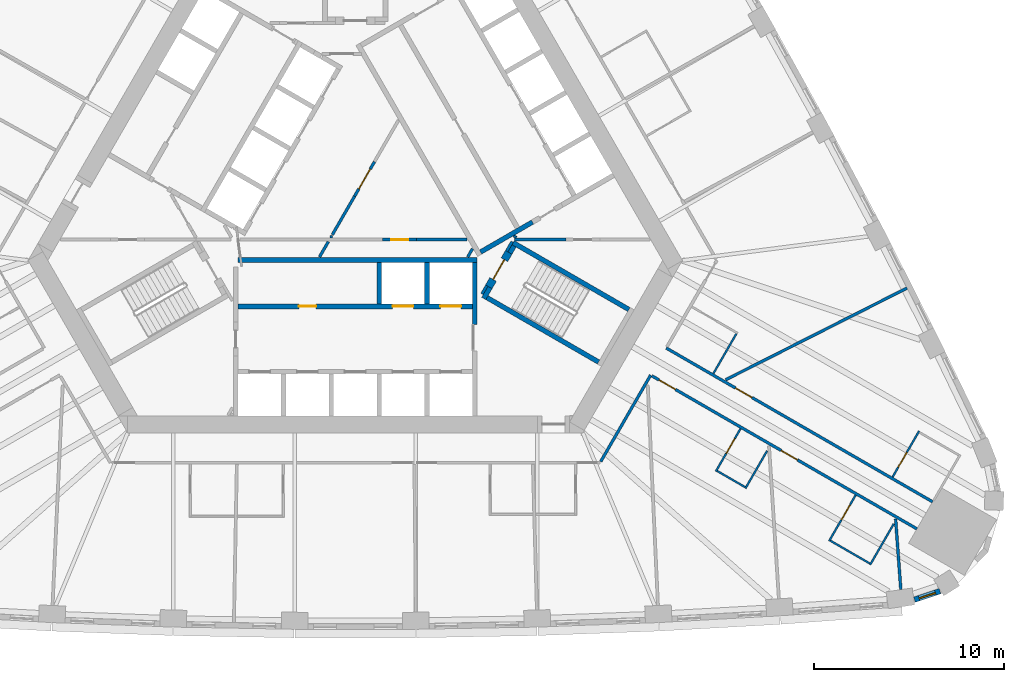
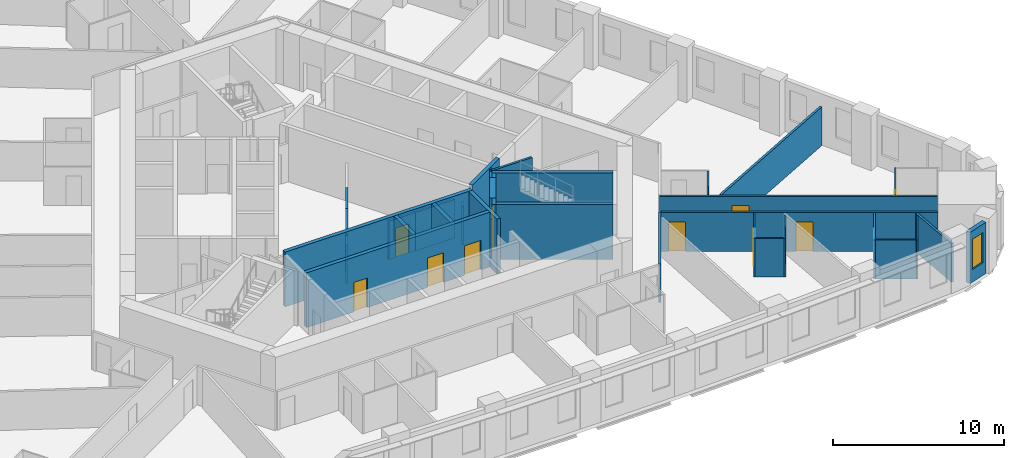
# One storey, part 7 of 13: 36 walls, 12 doors, 1 window, 13 openings.
"""IFC4 building model written with IfcOpenShell, lengths in metres."""

from ifc_helpers import new_model, si_unit, direction, frame, frame_2d, origin, place, context, subcontext, project, spatial, rectangle, extrude, material, layer, layer_set, type_object, element, fill, save


model = new_model("IFC4")

# Units and contexts
model_context = context("Model", 3, precision=1e-05, world=origin(), true_north=direction((0.0, 1.0)))
body_context = subcontext(model_context, "Body", "Model", "MODEL_VIEW")
ifc_project = project(units=[si_unit("LENGTHUNIT", "METRE"), si_unit("AREAUNIT", "SQUARE_METRE"), si_unit("VOLUMEUNIT", "CUBIC_METRE"), si_unit("PLANEANGLEUNIT", "RADIAN"), si_unit("MASSUNIT", "GRAM", prefix="KILO")], contexts=[model_context])

# Site, building, storey
site_placement = place(None, origin())
site = spatial("IfcSite", under=ifc_project, at=site_placement, CompositionType="ELEMENT")
building_placement = place(site_placement, origin())
building = spatial("IfcBuilding", under=site, at=building_placement, Name="Mestral Congress Tower", CompositionType="ELEMENT")
storey_placement = place(building_placement, frame((0.0, 0.0, 62.699951171875)))
storey = spatial("IfcBuildingStorey", under=building, at=storey_placement, Name="L14", CompositionType="ELEMENT", Elevation=62.699951171875)

# Walls
ifc_material_1 = material(Name="Fire-rated board partition")
ifc_layer_1 = layer(ifc_material_1, 0.14990234375)
ifc_layer_set_1 = layer_set([ifc_layer_1], Name="Fire-rated board partition")
wall_type_1 = type_object("IfcWallType", Name="Core partition 150", PredefinedType="PARTITIONING", material=ifc_layer_set_1)
wall_1_placement = place(storey_placement, frame((-1.886962890625, -3.71826171875, 0.0), z_axis=(0.0, 0.0, 1.0), x_axis=(0.499842898591, 0.866116087328, 0.0)))
element("IfcWall", 1, at=wall_1_placement, inside=storey, type_object=wall_type_1, Name="L14 core wall", PredefinedType="PARTITIONING", context=body_context, shape_type="SweptSolid", body=[
    extrude(rectangle(XDim=0.935791015625, YDim=0.14990234375, at=frame_2d((0.4677734375, 0.0))), origin(), (0.0, 0.0, 1.0), 2.75),
])
wall_2_placement = place(storey_placement, frame((-1.2119140625, -2.65087890625, 0.0), z_axis=(0.0, 0.0, 1.0), x_axis=(-1.0, 0.0, 0.0)))
element("IfcWall", 2, at=wall_2_placement, inside=storey, type_object=wall_type_1, Name="L14 core wall", PredefinedType="PARTITIONING", context=body_context, shape_type="SweptSolid", body=[
    extrude(rectangle(XDim=0.10791015625, YDim=0.14990234375, at=frame_2d((0.053955078125, 0.0))), origin(), (0.0, 0.0, 1.0), 2.75),
])
wall_3_placement = place(storey_placement, frame((-1.20849609375, -2.5439453125, 0.0), z_axis=(0.0, 0.0, 1.0), x_axis=(0.499995339376, 0.86602809458, 0.0)))
element("IfcWall", 3, at=wall_3_placement, inside=storey, type_object=wall_type_1, Name="L14 core wall", PredefinedType="PARTITIONING", context=body_context, shape_type="SweptSolid", body=[
    extrude(rectangle(XDim=2.34912109375, YDim=0.14990234375, at=frame_2d((1.174560546875, 0.0))), origin(), (0.0, 0.0, 1.0), 2.75),
])
wall_4_placement = place(storey_placement, frame((6.68798828125, -5.667236328125, 0.0), z_axis=(0.0, 0.0, 1.0), x_axis=(0.499834152157, 0.86612113491, 0.0)))
element("IfcWall", 4, at=wall_4_placement, inside=storey, type_object=wall_type_1, Name="L14 core wall", PredefinedType="PARTITIONING", context=body_context, shape_type="SweptSolid", body=[
    extrude(rectangle(XDim=0.504638671875, YDim=0.14990234375, at=frame_2d((0.25244140625, 0.0))), origin(), (0.0, 0.0, 1.0), 2.75),
])
wall_5_placement = place(storey_placement, frame((5.935791015625, -3.718017578125, 0.0), z_axis=(0.0, 0.0, 1.0), x_axis=(0.499890179513, 0.866088799389, 0.0)))
element("IfcWall", 5, at=wall_5_placement, inside=storey, type_object=wall_type_1, Name="L14 core wall", PredefinedType="PARTITIONING", context=body_context, shape_type="SweptSolid", body=[
    extrude(rectangle(XDim=0.50390625, YDim=0.14990234375, at=frame_2d((0.251953125, 0.0))), origin(), (0.0, 0.0, 1.0), 2.75),
])
wall_6_placement = place(storey_placement, frame((3.23828125, -2.800048828125, 0.0), z_axis=(0.0, 0.0, 1.0), x_axis=(1.0, 0.0, 0.0)))
element("IfcWall", 6, at=wall_6_placement, inside=storey, type_object=wall_type_1, Name="L14 core wall", PredefinedType="PARTITIONING", context=body_context, shape_type="SweptSolid", body=[
    extrude(rectangle(XDim=2.671630859375, YDim=0.14990234375, at=frame_2d((1.3359375, 0.0))), origin(), (0.0, 0.0, 1.0), 2.75),
])

# Wall, opening, door
wall_7_placement = place(storey_placement, frame((-0.0341796875, -0.50927734375, 0.0), z_axis=(0.0, 0.0, 1.0), x_axis=(0.49994051562, 0.866059744384, 0.0)))
wall_7 = element("IfcWall", 7, at=wall_7_placement, inside=storey, type_object=wall_type_1, Name="L14 door wall", PredefinedType="PARTITIONING", context=body_context, shape_type="SweptSolid", body=[
    extrude(rectangle(XDim=2.099853515625, YDim=0.14990234375, at=frame_2d((1.0498046875, 0.0))), origin(), (0.0, 0.0, 1.0), 2.75),
])
opening_1_placement = place(wall_7_placement, frame((0.449951171875, 0.0, 0.0)))
opening_1 = element("IfcOpeningElement", 8, at=opening_1_placement, cuts=wall_7, Name="Opening CD3-HUB0", PredefinedType="OPENING", context=body_context, shape_type="SweptSolid", body=[
    extrude(rectangle(XDim=1.199951171875, YDim=2.10009765625, at=frame_2d((0.60009765625, 1.050048828125))), frame((0.0, 0.0849609375, 0.0), z_axis=(0.0, -1.0, 0.0), x_axis=(1.0, 0.0, 0.0)), (0.0, 0.0, 1.0), 0.169921875),
])
ifc_material_2 = material(Name="Fire-rated steel door set", Category="steel")
door_type_1 = type_object("IfcDoorType", Name="Core door CD 1200x2100", OperationType="SINGLE_SWING_LEFT", PredefinedType="DOOR", material=ifc_material_2)
door_1_placement = place(opening_1_placement, origin())
door_1 = element("IfcDoor", 9, at=door_1_placement, inside=storey, type_object=door_type_1, Name="Door CD3-HUB0", OperationType="SINGLE_SWING_LEFT", OverallHeight=2.10009765625, OverallWidth=1.199951171875, PredefinedType="DOOR", context=body_context, shape_type="SweptSolid", body=[
    extrude(rectangle(XDim=1.199951171875, YDim=2.10009765625, at=frame_2d((0.60009765625, 1.050048828125))), frame((0.0, 0.02490234375, 0.0), z_axis=(0.0, -1.0, 0.0), x_axis=(1.0, 0.0, 0.0)), (0.0, 0.0, 1.0), 0.050048828125),
])
fill(opening_1, door_1)

wall_8_placement = place(storey_placement, frame((1.438232421875, -2.800048828125, 0.0), z_axis=(0.0, 0.0, 1.0), x_axis=(1.0, 0.0, 0.0)))
wall_8 = element("IfcWall", 10, at=wall_8_placement, inside=storey, type_object=wall_type_1, Name="L14 door wall", PredefinedType="PARTITIONING", context=body_context, shape_type="SweptSolid", body=[
    extrude(rectangle(XDim=1.800048828125, YDim=0.14990234375, at=frame_2d((0.89990234375, 0.0))), origin(), (0.0, 0.0, 1.0), 2.75),
])
opening_2_placement = place(wall_8_placement, frame((0.449951171875, 0.0, 0.0)))
opening_2 = element("IfcOpeningElement", 11, at=opening_2_placement, cuts=wall_8, Name="Opening SD-HUB3", PredefinedType="OPENING", context=body_context, shape_type="SweptSolid", body=[
    extrude(rectangle(XDim=0.89990234375, YDim=2.10009765625, at=frame_2d((0.449951171875, 1.050048828125))), frame((0.0, 0.0849609375, 0.0), z_axis=(0.0, -1.0, 0.0), x_axis=(1.0, 0.0, 0.0)), (0.0, 0.0, 1.0), 0.169921875),
])
door_type_2 = type_object("IfcDoorType", Name="Core door SR 900x2100", OperationType="SINGLE_SWING_LEFT", PredefinedType="DOOR", material=ifc_material_2)
door_2_placement = place(opening_2_placement, origin())
door_2 = element("IfcDoor", 12, at=door_2_placement, inside=storey, type_object=door_type_2, Name="Door SD-HUB3", OperationType="SINGLE_SWING_LEFT", OverallHeight=2.10009765625, OverallWidth=0.89990234375, PredefinedType="DOOR", context=body_context, shape_type="SweptSolid", body=[
    extrude(rectangle(XDim=0.89990234375, YDim=2.10009765625, at=frame_2d((0.449951171875, 1.050048828125))), frame((0.0, 0.02490234375, 0.0), z_axis=(0.0, -1.0, 0.0), x_axis=(1.0, 0.0, 0.0)), (0.0, 0.0, 1.0), 0.050048828125),
])
fill(opening_2, door_2)

# Wall, opening, window
ifc_material_3 = material(Name="Precast concrete C40/50 with limestone facing", Category="masonry")
ifc_layer_2 = layer(ifc_material_3, 0.2900390625)
ifc_layer_set_2 = layer_set([ifc_layer_2], Name="Precast concrete C40/50 with limestone facing")
wall_type_2 = type_object("IfcWallType", Name="Facade stone wall 290", PredefinedType="SOLIDWALL", material=ifc_layer_set_2)
wall_9_placement = place(storey_placement, frame((29.51171875, -21.80224609375, 0.0), z_axis=(0.0, 0.0, 1.0), x_axis=(0.947903891592, 0.318556450734, 0.0)))
wall_9 = element("IfcWall", 13, at=wall_9_placement, inside=storey, type_object=wall_type_2, Name="Facade wall K0-0", PredefinedType="SOLIDWALL", context=body_context, shape_type="SweptSolid", body=[
    extrude(rectangle(XDim=1.414794921875, YDim=0.2900390625, at=frame_2d((0.70751953125, 0.0))), origin(), (0.0, 0.0, 1.0), 3.650146484375),
])
opening_3_placement = place(wall_9_placement, frame((0.25732421875, 0.0, 0.89990234375)))
opening_3 = element("IfcOpeningElement", 14, at=opening_3_placement, cuts=wall_9, Name="Opening W3", PredefinedType="OPENING", context=body_context, shape_type="SweptSolid", body=[
    extrude(rectangle(XDim=0.89990234375, YDim=2.14990234375, at=frame_2d((0.449951171875, 1.074951171875))), frame((0.0, 0.155029296875, 0.0), z_axis=(0.0, -1.0, 0.0), x_axis=(1.0, 0.0, 0.0)), (0.0, 0.0, 1.0), 0.31005859375),
])
ifc_material_4 = material(Name="Clear low-emissivity double glazing", Category="glass")
window_type = type_object("IfcWindowType", Name="Facade punched window 900 x 2150 sill 900", PartitioningType="SINGLE_PANEL", PredefinedType="WINDOW", material=ifc_material_4)
window_placement = place(opening_3_placement, origin())
window = element("IfcWindow", 15, at=window_placement, inside=storey, type_object=window_type, Name="Window K0-0", OverallHeight=2.14990234375, OverallWidth=0.89990234375, PartitioningType="SINGLE_PANEL", PredefinedType="WINDOW", context=body_context, shape_type="SweptSolid", body=[
    extrude(rectangle(XDim=0.89990234375, YDim=2.14990234375, at=frame_2d((0.449951171875, 1.074951171875))), frame((0.0, 0.01513671875, 0.0), z_axis=(0.0, -1.0, 0.0), x_axis=(1.0, 0.0, 0.0)), (0.0, 0.0, 1.0), 0.06005859375),
])
fill(opening_3, window)

# Wall, opening, door
ifc_material_5 = material(Name="Gypsum board partition on metal studs with mineral wool", Category="composite")
ifc_layer_3 = layer(ifc_material_5, 0.10009765625)
ifc_layer_set_3 = layer_set([ifc_layer_3], Name="Gypsum board partition on metal studs with mineral wool")
wall_type_3 = type_object("IfcWallType", Name="Hotel partition wall 100", PredefinedType="PARTITIONING", material=ifc_layer_set_3)
wall_10_placement = place(storey_placement, frame((20.330078125, -12.77685546875, 0.0), z_axis=(0.0, 0.0, 1.0), x_axis=(-0.500006934395, -0.866021400173, 0.0)))
wall_10 = element("IfcWall", 16, at=wall_10_placement, inside=storey, type_object=wall_type_3, Name="L14-h-pod06a", PredefinedType="PARTITIONING", context=body_context, shape_type="SweptSolid", body=[
    extrude(rectangle(XDim=2.60009765625, YDim=0.10009765625, at=frame_2d((1.300048828125, 0.0))), origin(), (0.0, 0.0, 1.0), 2.75),
])
opening_4_placement = place(wall_10_placement, frame((0.60009765625, 0.0, 0.0)))
opening_4 = element("IfcOpeningElement", 17, at=opening_4_placement, cuts=wall_10, Name="Opening H04-012", PredefinedType="OPENING", context=body_context, shape_type="SweptSolid", body=[
    extrude(rectangle(XDim=0.89990234375, YDim=2.10009765625, at=frame_2d((0.449951171875, 1.050048828125))), frame((0.0, 0.06005859375, 0.0), z_axis=(0.0, -1.0, 0.0), x_axis=(1.0, 0.0, 0.0)), (0.0, 0.0, 1.0), 0.1201171875),
])
ifc_material_6 = material(Name="Timber veneer door leaf in timber frame", Category="wood")
door_type_3 = type_object("IfcDoorType", Name="Bathroom door 900", OperationType="SINGLE_SWING_LEFT", PredefinedType="DOOR", material=ifc_material_6)
door_3_placement = place(opening_4_placement, origin())
door_3 = element("IfcDoor", 18, at=door_3_placement, inside=storey, type_object=door_type_3, Name="L14-h-d012", OperationType="SINGLE_SWING_RIGHT", OverallHeight=2.10009765625, OverallWidth=0.89990234375, PredefinedType="DOOR", context=body_context, shape_type="SweptSolid", body=[
    extrude(rectangle(XDim=0.89990234375, YDim=2.10009765625, at=frame_2d((0.449951171875, 1.050048828125))), frame((0.0, 0.02490234375, 0.0), z_axis=(0.0, -1.0, 0.0), x_axis=(1.0, 0.0, 0.0)), (0.0, 0.0, 1.0), 0.050048828125),
])
fill(opening_4, door_3)

# Walls
wall_11_placement = place(storey_placement, frame((19.098388671875, -15.01025390625, 0.0), z_axis=(0.0, 0.0, 1.0), x_axis=(0.86605165483, -0.499954529098, 0.0)))
element("IfcWall", 19, at=wall_11_placement, inside=storey, type_object=wall_type_3, Name="L14-h-pod06b", PredefinedType="PARTITIONING", context=body_context, shape_type="SweptSolid", body=[
    extrude(rectangle(XDim=1.699951171875, YDim=0.10009765625, at=frame_2d((0.85009765625, 0.0))), origin(), (0.0, 0.0, 1.0), 2.75),
])
wall_12_placement = place(storey_placement, frame((21.73388671875, -13.9453125, 0.0), z_axis=(0.0, 0.0, 1.0), x_axis=(-0.500014693593, -0.866016920268, 0.0)))
element("IfcWall", 20, at=wall_12_placement, inside=storey, type_object=wall_type_3, Name="L14-h-pod06c", PredefinedType="PARTITIONING", context=body_context, shape_type="SweptSolid", body=[
    extrude(rectangle(XDim=2.2900390625, YDim=0.10009765625, at=frame_2d((1.14501953125, 0.0))), origin(), (0.0, 0.0, 1.0), 2.75),
])

# Wall, opening, door
wall_13_placement = place(storey_placement, frame((26.40478515625, -16.2841796875, 0.0), z_axis=(0.0, 0.0, 1.0), x_axis=(-0.49998411664, -0.866034573852, 0.0)))
wall_13 = element("IfcWall", 21, at=wall_13_placement, inside=storey, type_object=wall_type_3, Name="L14-h-pod07a", PredefinedType="PARTITIONING", context=body_context, shape_type="SweptSolid", body=[
    extrude(rectangle(XDim=2.7998046875, YDim=0.10009765625, at=frame_2d((1.39990234375, 0.0))), origin(), (0.0, 0.0, 1.0), 2.75),
])
opening_5_placement = place(wall_13_placement, frame((0.60009765625, 0.0, 0.0)))
opening_5 = element("IfcOpeningElement", 22, at=opening_5_placement, cuts=wall_13, Name="Opening H04-014", PredefinedType="OPENING", context=body_context, shape_type="SweptSolid", body=[
    extrude(rectangle(XDim=0.89990234375, YDim=2.10009765625, at=frame_2d((0.449951171875, 1.050048828125))), frame((0.0, 0.06005859375, 0.0), z_axis=(0.0, -1.0, 0.0), x_axis=(1.0, 0.0, 0.0)), (0.0, 0.0, 1.0), 0.1201171875),
])
door_4_placement = place(opening_5_placement, origin())
door_4 = element("IfcDoor", 23, at=door_4_placement, inside=storey, type_object=door_type_3, Name="L14-h-d014", OperationType="SINGLE_SWING_LEFT", OverallHeight=2.10009765625, OverallWidth=0.89990234375, PredefinedType="DOOR", context=body_context, shape_type="SweptSolid", body=[
    extrude(rectangle(XDim=0.89990234375, YDim=2.10009765625, at=frame_2d((0.449951171875, 1.050048828125))), frame((0.0, 0.02490234375, 0.0), z_axis=(0.0, -1.0, 0.0), x_axis=(1.0, 0.0, 0.0)), (0.0, 0.0, 1.0), 0.050048828125),
])
fill(opening_5, door_4)

# Walls
wall_14_placement = place(storey_placement, frame((25.0732421875, -18.690673828125, 0.0), z_axis=(0.0, 0.0, 1.0), x_axis=(0.866024647952, -0.500001309137, 0.0)))
element("IfcWall", 24, at=wall_14_placement, inside=storey, type_object=wall_type_3, Name="L14-h-pod07b", PredefinedType="PARTITIONING", context=body_context, shape_type="SweptSolid", body=[
    extrude(rectangle(XDim=2.39990234375, YDim=0.10009765625, at=frame_2d((1.199951171875, 0.0))), origin(), (0.0, 0.0, 1.0), 2.75),
])
wall_15_placement = place(storey_placement, frame((28.414794921875, -17.802490234375, 0.0), z_axis=(0.0, 0.0, 1.0), x_axis=(-0.499945955465, -0.866056604163, 0.0)))
element("IfcWall", 25, at=wall_15_placement, inside=storey, type_object=wall_type_3, Name="L14-h-pod07c", PredefinedType="PARTITIONING", context=body_context, shape_type="SweptSolid", body=[
    extrude(rectangle(XDim=2.489990234375, YDim=0.10009765625, at=frame_2d((1.2451171875, 0.0))), origin(), (0.0, 0.0, 1.0), 2.75),
])

# Wall, opening, door
wall_16_placement = place(storey_placement, frame((29.75244140625, -12.9052734375, 0.0), z_axis=(0.0, 0.0, 1.0), x_axis=(-0.500049511043, -0.865996816683, 0.0)))
wall_16 = element("IfcWall", 26, at=wall_16_placement, inside=storey, type_object=wall_type_3, Name="L14-h-pod08a", PredefinedType="PARTITIONING", context=body_context, shape_type="SweptSolid", body=[
    extrude(rectangle(XDim=2.800048828125, YDim=0.10009765625, at=frame_2d((1.39990234375, 0.0))), origin(), (0.0, 0.0, 1.0), 2.75),
])
opening_6_placement = place(wall_16_placement, frame((1.300048828125, 0.0, 0.0)))
opening_6 = element("IfcOpeningElement", 27, at=opening_6_placement, cuts=wall_16, Name="Opening H04-016", PredefinedType="OPENING", context=body_context, shape_type="SweptSolid", body=[
    extrude(rectangle(XDim=0.89990234375, YDim=2.10009765625, at=frame_2d((0.449951171875, 1.050048828125))), frame((0.0, 0.06005859375, 0.0), z_axis=(0.0, -1.0, 0.0), x_axis=(1.0, 0.0, 0.0)), (0.0, 0.0, 1.0), 0.1201171875),
])
door_5_placement = place(opening_6_placement, origin())
door_5 = element("IfcDoor", 28, at=door_5_placement, inside=storey, type_object=door_type_3, Name="L14-h-d016", OperationType="SINGLE_SWING_LEFT", OverallHeight=2.10009765625, OverallWidth=0.89990234375, PredefinedType="DOOR", context=body_context, shape_type="SweptSolid", body=[
    extrude(rectangle(XDim=0.89990234375, YDim=2.10009765625, at=frame_2d((0.449951171875, 1.050048828125))), frame((0.0, 0.02490234375, 0.0), z_axis=(0.0, -1.0, 0.0), x_axis=(1.0, 0.0, 0.0)), (0.0, 0.0, 1.0), 0.050048828125),
])
fill(opening_6, door_5)

# Wall
wall_17_placement = place(storey_placement, frame((20.10888671875, -7.7705078125, 0.0), z_axis=(0.0, 0.0, 1.0), x_axis=(-0.500077573772, -0.865980611914, 0.0)))
element("IfcWall", 29, at=wall_17_placement, inside=storey, type_object=wall_type_3, Name="L14-h-pod09b", PredefinedType="PARTITIONING", context=body_context, shape_type="SweptSolid", body=[
    extrude(rectangle(XDim=2.419921875, YDim=0.10009765625, at=frame_2d((1.2099609375, 0.0))), origin(), (0.0, 0.0, 1.0), 2.75),
])

# Wall, opening, door
ifc_layer_4 = layer(ifc_material_5, 0.14990234375)
ifc_layer_set_4 = layer_set([ifc_layer_4], Name="Gypsum board partition on metal studs with mineral wool")
wall_type_4 = type_object("IfcWallType", Name="Hotel partition wall 150", PredefinedType="PARTITIONING", material=ifc_layer_set_4)
wall_18_placement = place(storey_placement, frame((16.412353515625, -8.52294921875, 0.0), z_axis=(0.0, 0.0, 1.0), x_axis=(0.866022197818, -0.500005552856, 0.0)))
wall_18 = element("IfcWall", 30, at=wall_18_placement, inside=storey, type_object=wall_type_4, Name="L14-h-cw01", PredefinedType="PARTITIONING", context=body_context, shape_type="SweptSolid", body=[
    extrude(rectangle(XDim=16.223876953125, YDim=0.14990234375, at=frame_2d((8.11181640625, 0.0))), origin(), (0.0, 0.0, 1.0), 2.75),
])
opening_7_placement = place(wall_18_placement, frame((4.223388671875, 0.0, 0.0)))
opening_7 = element("IfcOpeningElement", 31, at=opening_7_placement, cuts=wall_18, Name="Opening H04-015", PredefinedType="OPENING", context=body_context, shape_type="SweptSolid", body=[
    extrude(rectangle(XDim=1.0, YDim=2.10009765625, at=frame_2d((0.5, 1.050048828125))), frame((0.0, 0.0849609375, 0.0), z_axis=(0.0, -1.0, 0.0), x_axis=(1.0, 0.0, 0.0)), (0.0, 0.0, 1.0), 0.169921875),
])
ifc_material_7 = material(Name="Timber veneer door leaf in metal frame", Category="wood")
door_type_4 = type_object("IfcDoorType", Name="Guest room entrance door 1000", OperationType="SINGLE_SWING_LEFT", PredefinedType="DOOR", material=ifc_material_7)
door_6_placement = place(opening_7_placement, origin())
door_6 = element("IfcDoor", 32, at=door_6_placement, inside=storey, type_object=door_type_4, Name="L14-h-d015", OperationType="SINGLE_SWING_LEFT", OverallHeight=2.10009765625, OverallWidth=1.0, PredefinedType="DOOR", context=body_context, shape_type="SweptSolid", body=[
    extrude(rectangle(XDim=1.0, YDim=2.10009765625, at=frame_2d((0.5, 1.050048828125))), frame((0.0, 0.02490234375, 0.0), z_axis=(0.0, -1.0, 0.0), x_axis=(1.0, 0.0, 0.0)), (0.0, 0.0, 1.0), 0.050048828125),
])
fill(opening_7, door_6)

# Wall
wall_19_placement = place(storey_placement, frame((15.58740234375, -9.951904296875, 0.0), z_axis=(0.0, 0.0, 1.0), x_axis=(-0.500016618951, -0.866015808616, 0.0)))
element("IfcWall", 33, at=wall_19_placement, inside=storey, type_object=wall_type_4, Name="L14-h-cw14", PredefinedType="PARTITIONING", context=body_context, shape_type="SweptSolid", body=[
    extrude(rectangle(XDim=5.268310546875, YDim=0.14990234375, at=frame_2d((2.63427734375, 0.0))), origin(), (0.0, 0.0, 1.0), 2.75),
])

# Wall, openings, doors
wall_20_placement = place(storey_placement, frame((29.6376953125, -18.06396484375, 0.0), z_axis=(0.0, 0.0, 1.0), x_axis=(-0.866026175601, 0.499998663172, 0.0)))
wall_20 = element("IfcWall", 34, at=wall_20_placement, inside=storey, type_object=wall_type_4, Name="L14-h-cw15", PredefinedType="PARTITIONING", context=body_context, shape_type="SweptSolid", body=[
    extrude(rectangle(XDim=16.14404296875, YDim=0.14990234375, at=frame_2d((8.072021484375, 0.0))), origin(), (0.0, 0.0, 1.0), 2.75),
])
opening_8_placement = place(wall_20_placement, frame((14.7138671875, 0.0, 0.0)))
opening_8 = element("IfcOpeningElement", 35, at=opening_8_placement, cuts=wall_20, Name="Opening H04-011", PredefinedType="OPENING", context=body_context, shape_type="SweptSolid", body=[
    extrude(rectangle(XDim=1.0, YDim=2.10009765625, at=frame_2d((0.5, 1.050048828125))), frame((0.0, 0.0849609375, 0.0), z_axis=(0.0, -1.0, 0.0), x_axis=(1.0, 0.0, 0.0)), (0.0, 0.0, 1.0), 0.169921875),
])
opening_9_placement = place(wall_20_placement, frame((7.275146484375, 0.0, 0.0)))
opening_9 = element("IfcOpeningElement", 36, at=opening_9_placement, cuts=wall_20, Name="Opening H04-013", PredefinedType="OPENING", context=body_context, shape_type="SweptSolid", body=[
    extrude(rectangle(XDim=1.0, YDim=2.10009765625, at=frame_2d((0.5, 1.050048828125))), frame((0.0, 0.0849609375, 0.0), z_axis=(0.0, -1.0, 0.0), x_axis=(1.0, 0.0, 0.0)), (0.0, 0.0, 1.0), 0.169921875),
])
door_7_placement = place(opening_8_placement, origin())
door_7 = element("IfcDoor", 37, at=door_7_placement, inside=storey, type_object=door_type_4, Name="L14-h-d011", OperationType="SINGLE_SWING_RIGHT", OverallHeight=2.10009765625, OverallWidth=1.0, PredefinedType="DOOR", context=body_context, shape_type="SweptSolid", body=[
    extrude(rectangle(XDim=1.0, YDim=2.10009765625, at=frame_2d((0.5, 1.050048828125))), frame((0.0, 0.02490234375, 0.0), z_axis=(0.0, -1.0, 0.0), x_axis=(1.0, 0.0, 0.0)), (0.0, 0.0, 1.0), 0.050048828125),
])
fill(opening_8, door_7)
door_8_placement = place(opening_9_placement, origin())
door_8 = element("IfcDoor", 38, at=door_8_placement, inside=storey, type_object=door_type_4, Name="L14-h-d013", OperationType="SINGLE_SWING_RIGHT", OverallHeight=2.10009765625, OverallWidth=1.0, PredefinedType="DOOR", context=body_context, shape_type="SweptSolid", body=[
    extrude(rectangle(XDim=1.0, YDim=2.10009765625, at=frame_2d((0.5, 1.050048828125))), frame((0.0, 0.02490234375, 0.0), z_axis=(0.0, -1.0, 0.0), x_axis=(1.0, 0.0, 0.0)), (0.0, 0.0, 1.0), 0.050048828125),
])
fill(opening_9, door_8)

# Walls
wall_21_placement = place(storey_placement, frame((29.119873046875, -5.355712890625, 0.0), z_axis=(0.0, 0.0, 1.0), x_axis=(-0.892401965553, -0.451241323327, 0.0)))
element("IfcWall", 39, at=wall_21_placement, inside=storey, type_object=wall_type_4, Name="L14-h-pw22", PredefinedType="PARTITIONING", context=body_context, shape_type="SweptSolid", body=[
    extrude(rectangle(XDim=10.728759765625, YDim=0.14990234375, at=frame_2d((5.3642578125, 0.0))), origin(), (0.0, 0.0, 1.0), 2.75),
])
wall_22_placement = place(storey_placement, frame((28.78955078125, -21.272705078125, 0.0), z_axis=(0.0, 0.0, 1.0), x_axis=(-0.07382592098, 0.997271143366, 0.0)))
element("IfcWall", 40, at=wall_22_placement, inside=storey, type_object=wall_type_4, Name="L14-h-pw24", PredefinedType="PARTITIONING", context=body_context, shape_type="SweptSolid", body=[
    extrude(rectangle(XDim=3.733642578125, YDim=0.14990234375, at=frame_2d((1.86669921875, 0.0))), origin(), (0.0, 0.0, 1.0), 2.75),
])
ifc_material_8 = material(Name="Concrete C60/75", Category="concrete")
ifc_layer_5 = layer(ifc_material_8, 0.25)
ifc_layer_set_5 = layer_set([ifc_layer_5], Name="Concrete C60/75")
wall_type_5 = type_object("IfcWallType", Name="Shaft wall RC 250", PredefinedType="SOLIDWALL", material=ifc_layer_set_5)
wall_23_placement = place(storey_placement, frame((-6.189697265625, -3.875, 0.0), z_axis=(0.0, 0.0, 1.0), x_axis=(1.0, 0.0, 0.0)))
element("IfcWall", 41, at=wall_23_placement, inside=storey, type_object=wall_type_5, Name="L14 core wall", PredefinedType="SOLIDWALL", context=body_context, shape_type="SweptSolid", body=[
    extrude(rectangle(XDim=12.61474609375, YDim=0.25, at=frame_2d((6.307373046875, 0.0))), origin(), (0.0, 0.0, 1.0), 3.900146484375),
])
wall_24_placement = place(storey_placement, frame((6.300048828125, -7.26806640625, 0.0), z_axis=(0.0, 0.0, 1.0), x_axis=(0.0, 1.0, 0.0)))
element("IfcWall", 42, at=wall_24_placement, inside=storey, type_object=wall_type_5, Name="L14 core wall", PredefinedType="SOLIDWALL", context=body_context, shape_type="SweptSolid", body=[
    extrude(rectangle(XDim=3.26806640625, YDim=0.25, at=frame_2d((1.634033203125, 0.0))), origin(), (0.0, 0.0, 1.0), 3.900146484375),
])
for number, where, z_axis, x_axis, name in (
    (43, (3.780029296875, -4.0, 0.0), (0.0, 0.0, 1.0), (0.0, -1.0, 0.0), "L14 core wall"),
    (44, (1.260009765625, -4.0, 0.0), (0.0, 0.0, 1.0), (0.0, -1.0, 0.0), "L14 core wall"),
):
    element("IfcWall", number, at=place(storey_placement, frame(where, z_axis=z_axis, x_axis=x_axis)), inside=storey, type_object=wall_type_5, Name=name, PredefinedType="SOLIDWALL", context=body_context, shape_type="SweptSolid", body=[
        extrude(rectangle(XDim=2.199951171875, YDim=0.25, at=frame_2d((1.10009765625, 0.0))), origin(), (0.0, 0.0, 1.0), 3.900146484375),
    ])
wall_25_placement = place(storey_placement, frame((9.35205078125, -1.875244140625, 0.0), z_axis=(0.0, 0.0, 1.0), x_axis=(-0.866024844342, -0.500000968981, 0.0)))
element("IfcWall", 45, at=wall_25_placement, inside=storey, type_object=wall_type_5, Name="L14 core wall", PredefinedType="SOLIDWALL", context=body_context, shape_type="SweptSolid", body=[
    extrude(rectangle(XDim=3.16162109375, YDim=0.25, at=frame_2d((1.580810546875, 0.0))), origin(), (0.0, 0.0, 1.0), 3.900146484375),
])

# Wall, openings, doors
wall_26_placement = place(storey_placement, frame((-6.175048828125, -6.324951171875, 0.0), z_axis=(0.0, 0.0, 1.0), x_axis=(1.0, 0.0, 0.0)))
wall_26 = element("IfcWall", 46, at=wall_26_placement, inside=storey, type_object=wall_type_5, Name="L14 door wall", PredefinedType="SOLIDWALL", context=body_context, shape_type="SweptSolid", body=[
    extrude(rectangle(XDim=12.35009765625, YDim=0.25, at=frame_2d((6.175048828125, 0.0))), origin(), (0.0, 0.0, 1.0), 3.900146484375),
])
opening_10_placement = place(wall_26_placement, frame((3.205078125, 0.0, 0.0)))
opening_10 = element("IfcOpeningElement", 47, at=opening_10_placement, cuts=wall_26, Name="Opening SR-SOB1", PredefinedType="OPENING", context=body_context, shape_type="SweptSolid", body=[
    extrude(rectangle(XDim=0.89990234375, YDim=2.10009765625, at=frame_2d((0.449951171875, 1.050048828125))), frame((0.0, 0.135009765625, 0.0), z_axis=(0.0, -1.0, 0.0), x_axis=(1.0, 0.0, 0.0)), (0.0, 0.0, 1.0), 0.27001953125),
])
opening_11_placement = place(wall_26_placement, frame((8.14501953125, 0.0, 0.0)))
opening_11 = element("IfcOpeningElement", 48, at=opening_11_placement, cuts=wall_26, Name="Opening LD-SOB4", PredefinedType="OPENING", context=body_context, shape_type="SweptSolid", body=[
    extrude(rectangle(XDim=1.10009765625, YDim=2.10009765625, at=frame_2d((0.550048828125, 1.050048828125))), frame((0.0, 0.135009765625, 0.0), z_axis=(0.0, -1.0, 0.0), x_axis=(1.0, 0.0, 0.0)), (0.0, 0.0, 1.0), 0.27001953125),
])
opening_12_placement = place(wall_26_placement, frame((10.6650390625, 0.0, 0.0)))
opening_12 = element("IfcOpeningElement", 49, at=opening_12_placement, cuts=wall_26, Name="Opening LD-SOB5", PredefinedType="OPENING", context=body_context, shape_type="SweptSolid", body=[
    extrude(rectangle(XDim=1.10009765625, YDim=2.10009765625, at=frame_2d((0.550048828125, 1.050048828125))), frame((0.0, 0.135009765625, 0.0), z_axis=(0.0, -1.0, 0.0), x_axis=(1.0, 0.0, 0.0)), (0.0, 0.0, 1.0), 0.27001953125),
])
door_type_5 = type_object("IfcDoorType", Name="Core door LD 1100x2100", OperationType="DOUBLE_DOOR_SLIDING", PredefinedType="DOOR", material=ifc_material_2)
door_9_placement = place(opening_11_placement, origin())
door_9 = element("IfcDoor", 50, at=door_9_placement, inside=storey, type_object=door_type_5, Name="Door LD-SOB4", OperationType="DOUBLE_DOOR_SLIDING", OverallHeight=2.10009765625, OverallWidth=1.10009765625, PredefinedType="DOOR", context=body_context, shape_type="SweptSolid", body=[
    extrude(rectangle(XDim=1.10009765625, YDim=2.10009765625, at=frame_2d((0.550048828125, 1.050048828125))), frame((0.0, 0.02490234375, 0.0), z_axis=(0.0, -1.0, 0.0), x_axis=(1.0, 0.0, 0.0)), (0.0, 0.0, 1.0), 0.050048828125),
])
fill(opening_11, door_9)
door_10_placement = place(opening_12_placement, origin())
door_10 = element("IfcDoor", 51, at=door_10_placement, inside=storey, type_object=door_type_5, Name="Door LD-SOB5", OperationType="DOUBLE_DOOR_SLIDING", OverallHeight=2.10009765625, OverallWidth=1.10009765625, PredefinedType="DOOR", context=body_context, shape_type="SweptSolid", body=[
    extrude(rectangle(XDim=1.10009765625, YDim=2.10009765625, at=frame_2d((0.550048828125, 1.050048828125))), frame((0.0, 0.02490234375, 0.0), z_axis=(0.0, -1.0, 0.0), x_axis=(1.0, 0.0, 0.0)), (0.0, 0.0, 1.0), 0.050048828125),
])
fill(opening_12, door_10)
door_11_placement = place(opening_10_placement, origin())
door_11 = element("IfcDoor", 52, at=door_11_placement, inside=storey, type_object=door_type_2, Name="Door SR-SOB1", OperationType="SINGLE_SWING_LEFT", OverallHeight=2.10009765625, OverallWidth=0.89990234375, PredefinedType="DOOR", context=body_context, shape_type="SweptSolid", body=[
    extrude(rectangle(XDim=0.89990234375, YDim=2.10009765625, at=frame_2d((0.449951171875, 1.050048828125))), frame((0.0, 0.02490234375, 0.0), z_axis=(0.0, -1.0, 0.0), x_axis=(1.0, 0.0, 0.0)), (0.0, 0.0, 1.0), 0.050048828125),
])
fill(opening_10, door_11)

# Walls
ifc_layer_6 = layer(ifc_material_8, 0.14990234375)
ifc_layer_set_6 = layer_set([ifc_layer_6], Name="Concrete C60/75")
wall_type_6 = type_object("IfcWallType", Name="Shaft wall RC 250 door-wall 150", PredefinedType="SOLIDWALL", material=ifc_layer_set_6)
wall_27_placement = place(storey_placement, frame((8.412109375, -2.800048828125, 0.0), z_axis=(0.0, 0.0, 1.0), x_axis=(1.0, 0.0, 0.0)))
element("IfcWall", 53, at=wall_27_placement, inside=storey, type_object=wall_type_6, Name="L14 core wall", PredefinedType="PARTITIONING", context=body_context, shape_type="SweptSolid", body=[
    extrude(rectangle(XDim=2.702392578125, YDim=0.14990234375, at=frame_2d((1.35107421875, 0.0))), origin(), (0.0, 0.0, 1.0), 3.900146484375),
])
wall_28_placement = place(storey_placement, frame((8.458984375, -2.598876953125, 0.0), z_axis=(0.0, 0.0, 1.0), x_axis=(-0.501919277433, -0.864914469148, 0.0)))
element("IfcWall", 54, at=wall_28_placement, inside=storey, type_object=wall_type_6, Name="L14 core wall", PredefinedType="PARTITIONING", context=body_context, shape_type="SweptSolid", body=[
    extrude(rectangle(XDim=0.10888671875, YDim=0.14990234375, at=frame_2d((0.054443359375, 0.0))), origin(), (0.0, 0.0, 1.0), 3.900146484375),
])
wall_29_placement = place(storey_placement, frame((8.281494140625, -2.906982421875, 0.0), z_axis=(0.0, 0.0, 1.0), x_axis=(-0.500193841991, -0.86591346013, 0.0)))
element("IfcWall", 55, at=wall_29_placement, inside=storey, type_object=wall_type_6, Name="L14 core wall", PredefinedType="PARTITIONING", context=body_context, shape_type="SweptSolid", body=[
    extrude(rectangle(XDim=0.582763671875, YDim=0.14990234375, at=frame_2d((0.29150390625, 0.0))), origin(), (0.0, 0.0, 1.0), 3.900146484375),
])
ifc_layer_7 = layer(ifc_material_8, 0.25)
ifc_layer_set_7 = layer_set([ifc_layer_7], Name="Concrete C60/75")
wall_type_7 = type_object("IfcWallType", Name="Stair wall RC 250", PredefinedType="SOLIDWALL", material=ifc_layer_set_7)
wall_30_placement = place(storey_placement, frame((12.83984375, -9.2607421875, 0.0), z_axis=(0.0, 0.0, 1.0), x_axis=(-0.866013990052, 0.500019768644, 0.0)))
element("IfcWall", 56, at=wall_30_placement, inside=storey, type_object=wall_type_7, Name="L14 core wall", PredefinedType="SOLIDWALL", context=body_context, shape_type="SweptSolid", body=[
    extrude(rectangle(XDim=6.800048828125, YDim=0.25, at=frame_2d((3.39990234375, 0.0))), origin(), (0.0, 0.0, 1.0), 3.900146484375),
])
wall_31_placement = place(storey_placement, frame((7.11279296875, -5.330078125, 0.0), z_axis=(0.0, 0.0, 1.0), x_axis=(-0.499965889992, -0.866045096311, 0.0)))
element("IfcWall", 57, at=wall_31_placement, inside=storey, type_object=wall_type_7, Name="L14 core wall", PredefinedType="SOLIDWALL", context=body_context, shape_type="SweptSolid", body=[
    extrude(rectangle(XDim=0.66552734375, YDim=0.25, at=frame_2d((0.332763671875, 0.0))), origin(), (0.0, 0.0, 1.0), 3.900146484375),
])
wall_32_placement = place(storey_placement, frame((8.33447265625, -2.96435546875, 0.0), z_axis=(0.0, 0.0, 1.0), x_axis=(0.866016039709, -0.500016218704, 0.0)))
element("IfcWall", 58, at=wall_32_placement, inside=storey, type_object=wall_type_7, Name="L14 core wall", PredefinedType="SOLIDWALL", context=body_context, shape_type="SweptSolid", body=[
    extrude(rectangle(XDim=7.050048828125, YDim=0.25, at=frame_2d((3.52490234375, 0.0))), origin(), (0.0, 0.0, 1.0), 3.900146484375),
])
wall_33_placement = place(storey_placement, frame((8.162841796875, -3.51123046875, 0.0), z_axis=(0.0, 0.0, 1.0), x_axis=(0.500127794843, 0.865951608824, 0.0)))
element("IfcWall", 59, at=wall_33_placement, inside=storey, type_object=wall_type_7, Name="L14 core wall", PredefinedType="SOLIDWALL", context=body_context, shape_type="SweptSolid", body=[
    extrude(rectangle(XDim=0.4345703125, YDim=0.25, at=frame_2d((0.21728515625, 0.0))), origin(), (0.0, 0.0, 1.0), 3.900146484375),
])

# Wall, opening, door
ifc_layer_8 = layer(ifc_material_8, 0.39990234375)
ifc_layer_set_8 = layer_set([ifc_layer_8], Name="Concrete C60/75")
wall_type_8 = type_object("IfcWallType", Name="Stair wall RC 250 door-wall 400", PredefinedType="SOLIDWALL", material=ifc_layer_set_8)
wall_34_placement = place(storey_placement, frame((7.048095703125, -5.29248046875, 0.0), z_axis=(0.0, 0.0, 1.0), x_axis=(0.49994051562, 0.866059744384, 0.0)))
wall_34 = element("IfcWall", 60, at=wall_34_placement, inside=storey, type_object=wall_type_8, Name="L14 door wall", PredefinedType="SOLIDWALL", context=body_context, shape_type="SweptSolid", body=[
    extrude(rectangle(XDim=2.099853515625, YDim=0.39990234375, at=frame_2d((1.0498046875, 0.0))), origin(), (0.0, 0.0, 1.0), 3.900146484375),
])
opening_13_placement = place(wall_34_placement, frame((0.449951171875, 0.0, 0.0)))
opening_13 = element("IfcOpeningElement", 61, at=opening_13_placement, cuts=wall_34, Name="Opening ST-D1", PredefinedType="OPENING", context=body_context, shape_type="SweptSolid", body=[
    extrude(rectangle(XDim=1.199951171875, YDim=2.10009765625, at=frame_2d((0.60009765625, 1.050048828125))), frame((0.0, 0.2099609375, 0.0), z_axis=(0.0, -1.0, 0.0), x_axis=(1.0, 0.0, 0.0)), (0.0, 0.0, 1.0), 0.419921875),
])
door_type_6 = type_object("IfcDoorType", Name="Core door ST 1200x2100", OperationType="SINGLE_SWING_LEFT", PredefinedType="DOOR", material=ifc_material_2)
door_12_placement = place(opening_13_placement, origin())
door_12 = element("IfcDoor", 62, at=door_12_placement, inside=storey, type_object=door_type_6, Name="Door ST-D1", OperationType="SINGLE_SWING_LEFT", OverallHeight=2.10009765625, OverallWidth=1.199951171875, PredefinedType="DOOR", context=body_context, shape_type="SweptSolid", body=[
    extrude(rectangle(XDim=1.199951171875, YDim=2.10009765625, at=frame_2d((0.60009765625, 1.050048828125))), frame((0.0, 0.02490234375, 0.0), z_axis=(0.0, -1.0, 0.0), x_axis=(1.0, 0.0, 0.0)), (0.0, 0.0, 1.0), 0.050048828125),
])
fill(opening_13, door_12)

save(model, "model.ifc")
